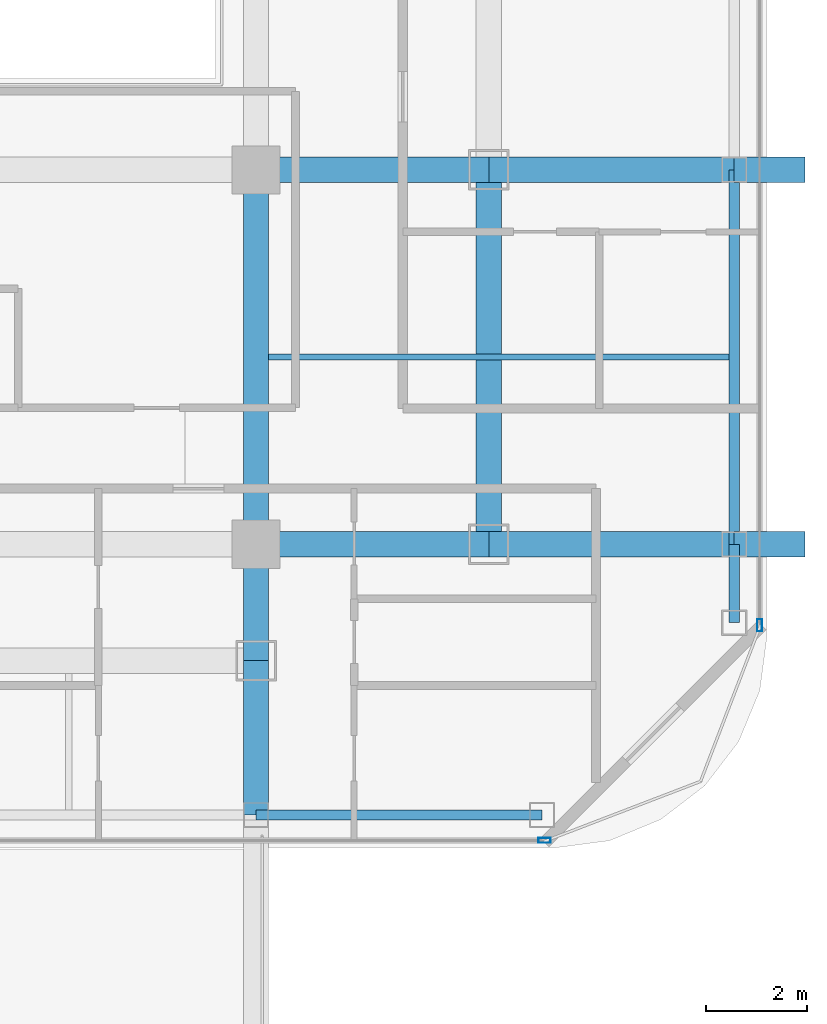
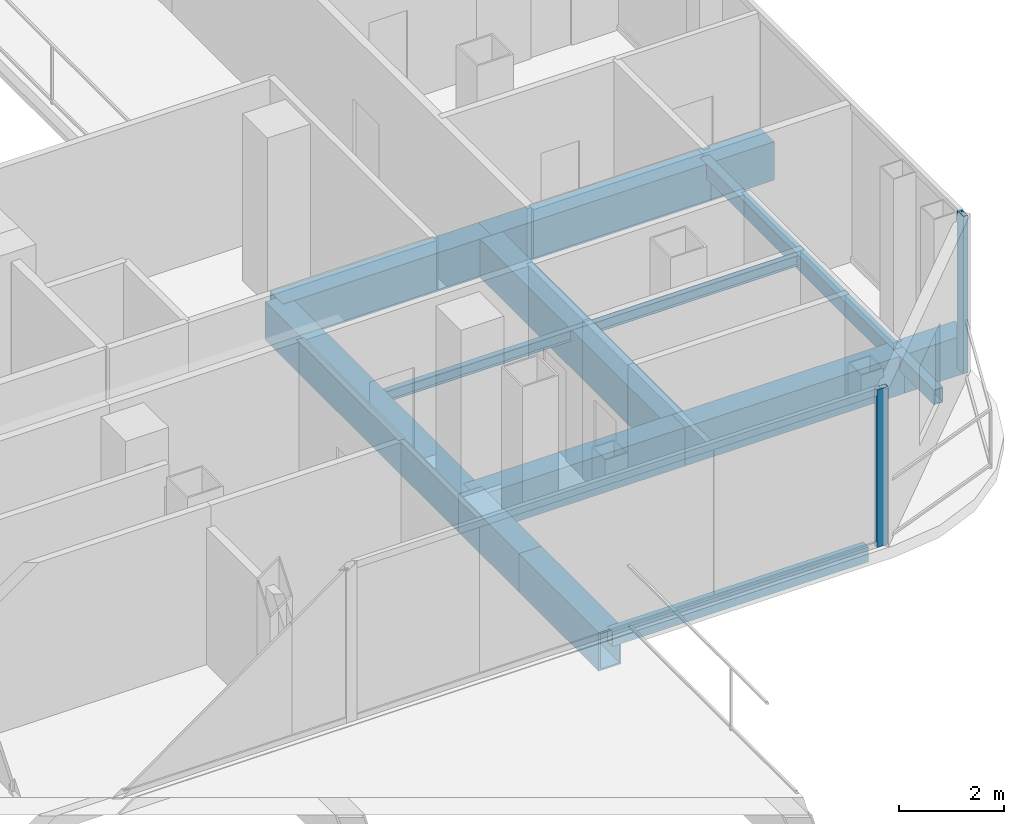
# One storey, part 8 of 25: 14 beams, 2 members, 2 elements without a shape of their own.
"""IFC4 building model written with IfcOpenShell, lengths in metres."""

from ifc_helpers import new_model, si_unit, direction, frame, origin, origin_2d, place, context, subcontext, project, spatial, hollow_rectangle, i_section, extrude, material, layer, layer_set, material_profile, profile_set, type_object, element, aggregate, save


model = new_model("IFC4")

# Units and contexts
model_context = context("Model", 3, precision=1e-05, world=origin(), true_north=direction((0.0, 1.0)))
body_context = subcontext(model_context, "Body", "Model", "MODEL_VIEW")
ifc_project = project(units=[si_unit("LENGTHUNIT", "METRE"), si_unit("AREAUNIT", "SQUARE_METRE"), si_unit("VOLUMEUNIT", "CUBIC_METRE"), si_unit("PLANEANGLEUNIT", "RADIAN"), si_unit("MASSUNIT", "GRAM", prefix="KILO")], contexts=[model_context])

# Site, building, storey
site_placement = place(None, origin())
site = spatial("IfcSite", under=ifc_project, at=site_placement, CompositionType="ELEMENT")
building_placement = place(site_placement, origin())
building = spatial("IfcBuilding", under=site, at=building_placement, Name="Khorvyn Point Tower", CompositionType="ELEMENT")
storey_placement = place(building_placement, frame((0.0, 0.0, 254.699951171875)))
storey = spatial("IfcBuildingStorey", under=building, at=storey_placement, Name="L62", CompositionType="ELEMENT", Elevation=254.699951171875)

# Curtain wall, member
ifc_material_1 = material(Name="Anodised aluminium 6063-T6 and laminated Low-E glass", Category="aluminium")
ifc_layer = layer(ifc_material_1, 0.18994140625)
ifc_layer_set = layer_set([ifc_layer], Name="Stick-Built High-Wind Curtain Wall CW-SYS-04")
curtain_wall_type = type_object("IfcCurtainWallType", Name="Stick-Built High-Wind Curtain Wall CW-SYS-04", PredefinedType="NOTDEFINED", material=ifc_layer_set)
curtain_wall_1_placement = place(storey_placement, origin())
curtain_wall_1 = element("IfcCurtainWall", 1, at=curtain_wall_1_placement, inside=storey, type_object=curtain_wall_type, Name="Curtain Wall", PredefinedType="NOTDEFINED")
ifc_material_2 = material(Name="Anodised aluminium 6063-T6", Category="aluminium")
ifc_material_profile_1 = material_profile(ifc_material_2, hollow_rectangle(XDim=0.10009765625, YDim=0.239990234375, WallThickness=0.0048828125, at=origin_2d()))
ifc_profile_set_1 = profile_set([ifc_material_profile_1], Name="Anodised aluminium 6063-T6 ALU-MUL-100x240")
member_type = type_object("IfcMemberType", Name="Anodised Aluminium 6063-T6 Mullion ALU-MUL-100x240", PredefinedType="MULLION", material=ifc_profile_set_1)
member_1_placement = place(storey_placement, frame((20.5, -20.64990234375, 0.0), z_axis=(0.0, 0.0, 1.0), x_axis=(0.0, -1.0, 0.0)))
member_1 = element("IfcMember", 2, at=member_1_placement, type_object=member_type, Name="Transom", PredefinedType="MULLION", context=body_context, shape_type="SweptSolid", body=[
    extrude(hollow_rectangle(XDim=0.10009765625, YDim=0.239990234375, WallThickness=0.0048828125, at=origin_2d()), origin(), (0.0, 0.0, 1.0), 3.679931640625),
])
aggregate(curtain_wall_1, [member_1])

curtain_wall_2_placement = place(storey_placement, origin())
curtain_wall_2 = element("IfcCurtainWall", 3, at=curtain_wall_2_placement, inside=storey, type_object=curtain_wall_type, Name="Curtain Wall", PredefinedType="NOTDEFINED")
member_2_placement = place(storey_placement, frame((24.75, -16.39990234375, 0.0), z_axis=(0.0, 0.0, 1.0), x_axis=(1.0, 0.0, 0.0)))
member_2 = element("IfcMember", 4, at=member_2_placement, type_object=member_type, Name="Transom", PredefinedType="MULLION", context=body_context, shape_type="SweptSolid", body=[
    extrude(hollow_rectangle(XDim=0.10009765625, YDim=0.239990234375, WallThickness=0.0048828125, at=origin_2d()), origin(), (0.0, 0.0, 1.0), 3.679931640625),
])
aggregate(curtain_wall_2, [member_2])

# Beams
ifc_material_3 = material(Name="Steel S355", Category="steel")
ifc_material_profile_2 = material_profile(ifc_material_3, i_section(OverallWidth=0.125, OverallDepth=0.25, WebThickness=0.006103515625, FlangeThickness=0.009033203125, at=origin_2d()))
ifc_profile_set_2 = profile_set([ifc_material_profile_2], Name="Steel S355 H250x125x6x9")
beam_type_1 = type_object("IfcBeamType", Name="Steel S355 Joist H250x125x6x9", PredefinedType="JOIST", material=ifc_profile_set_2)
beam_1_placement = place(storey_placement, frame((15.050048828125, -11.10009765625, -0.405029296875), z_axis=(1.0, 0.0, 0.0), x_axis=(0.0, 1.0, 0.0)))
element("IfcBeam", 5, at=beam_1_placement, inside=storey, type_object=beam_type_1, Name="Beam", PredefinedType="JOIST", context=body_context, shape_type="SweptSolid", body=[
    extrude(i_section(OverallWidth=0.125, OverallDepth=0.25, WebThickness=0.006103515625, FlangeThickness=0.009033203125, at=origin_2d()), origin(), (0.0, 0.0, 1.0), 9.099853515625),
])
ifc_material_profile_3 = material_profile(ifc_material_3, hollow_rectangle(XDim=0.199951171875, YDim=0.35009765625, WallThickness=0.013916015625, at=origin_2d()))
ifc_profile_set_3 = profile_set([ifc_material_profile_3], Name="Steel S355 RHS350x200x14")
beam_type_2 = type_object("IfcBeamType", Name="Steel S355 Spandrel RHS350x200x14", PredefinedType="SPANDREL", material=ifc_profile_set_3)
beam_2_placement = place(storey_placement, frame((14.800048828125, -20.14990234375, -0.454833984375), z_axis=(1.0, 0.0, 0.0), x_axis=(0.0, 1.0, 0.0)))
element("IfcBeam", 6, at=beam_2_placement, inside=storey, type_object=beam_type_2, Name="Beam", PredefinedType="SPANDREL", context=body_context, shape_type="SweptSolid", body=[
    extrude(hollow_rectangle(XDim=0.199951171875, YDim=0.35009765625, WallThickness=0.013916015625, at=origin_2d()), origin(), (0.0, 0.0, 1.0), 5.64990234375),
])
beam_3_placement = place(storey_placement, frame((24.25, -16.35009765625, -0.454833984375), z_axis=(0.0, 1.0, 0.0), x_axis=(-1.0, 0.0, 0.0)))
element("IfcBeam", 7, at=beam_3_placement, inside=storey, type_object=beam_type_2, Name="Beam", PredefinedType="SPANDREL", context=body_context, shape_type="SweptSolid", body=[
    extrude(hollow_rectangle(XDim=0.199951171875, YDim=0.35009765625, WallThickness=0.013916015625, at=origin_2d()), origin(), (0.0, 0.0, 1.0), 1.550048828125),
])
beam_4_placement = place(storey_placement, frame((24.25, -14.800048828125, -0.454833984375), z_axis=(0.0, 1.0, 0.0), x_axis=(-1.0, 0.0, 0.0)))
element("IfcBeam", 8, at=beam_4_placement, inside=storey, type_object=beam_type_2, Name="Beam", PredefinedType="SPANDREL", context=body_context, shape_type="SweptSolid", body=[
    extrude(hollow_rectangle(XDim=0.199951171875, YDim=0.35009765625, WallThickness=0.013916015625, at=origin_2d()), origin(), (0.0, 0.0, 1.0), 7.400146484375),
])
ifc_material_4 = material(Name="Steel S450", Category="steel")
ifc_material_profile_4 = material_profile(ifc_material_4, hollow_rectangle(XDim=0.5, YDim=0.89990234375, WallThickness=0.0400390625, at=origin_2d()))
ifc_profile_set_4 = profile_set([ifc_material_profile_4], Name="Steel S450 BOX900x500x40")
beam_type_3 = type_object("IfcBeamType", Name="Steel S450 Beam BOX900x500x40", PredefinedType="BEAM", material=ifc_profile_set_4)
beam_5_placement = place(storey_placement, frame((14.800048828125, -14.800048828125, -0.72998046875), z_axis=(1.0, 0.0, 0.0), x_axis=(0.0, 1.0, 0.0)))
element("IfcBeam", 9, at=beam_5_placement, inside=storey, type_object=beam_type_3, Name="L62 Radial Transfer Girder", PredefinedType="BEAM", context=body_context, shape_type="SweptSolid", body=[
    extrude(hollow_rectangle(XDim=0.5, YDim=0.89990234375, WallThickness=0.0400390625, at=origin_2d()), origin(), (0.0, 0.0, 1.0), 4.599853515625),
])
beam_6_placement = place(storey_placement, frame((19.39990234375, -14.800048828125, -0.72998046875), z_axis=(1.0, 0.0, 0.0), x_axis=(0.0, 1.0, 0.0)))
element("IfcBeam", 10, at=beam_6_placement, inside=storey, type_object=beam_type_3, Name="L62 Radial Transfer Girder", PredefinedType="BEAM", context=body_context, shape_type="SweptSolid", body=[
    extrude(hollow_rectangle(XDim=0.5, YDim=0.89990234375, WallThickness=0.0400390625, at=origin_2d()), origin(), (0.0, 0.0, 1.0), 4.85009765625),
])
beam_7_placement = place(storey_placement, frame((24.25, -14.800048828125, -0.72998046875), z_axis=(1.0, 0.0, 0.0), x_axis=(0.0, 1.0, 0.0)))
element("IfcBeam", 11, at=beam_7_placement, inside=storey, type_object=beam_type_3, Name="L62 Radial Transfer Girder", PredefinedType="BEAM", context=body_context, shape_type="SweptSolid", body=[
    extrude(hollow_rectangle(XDim=0.5, YDim=0.89990234375, WallThickness=0.0400390625, at=origin_2d()), origin(), (0.0, 0.0, 1.0), 1.39990234375),
])
beam_8_placement = place(storey_placement, frame((14.800048828125, -7.39990234375, -0.72998046875), z_axis=(1.0, 0.0, 0.0), x_axis=(0.0, 1.0, 0.0)))
element("IfcBeam", 12, at=beam_8_placement, inside=storey, type_object=beam_type_3, Name="Beam", PredefinedType="BEAM", context=body_context, shape_type="SweptSolid", body=[
    extrude(hollow_rectangle(XDim=0.5, YDim=0.89990234375, WallThickness=0.0400390625, at=origin_2d()), origin(), (0.0, 0.0, 1.0), 4.599853515625),
])
beam_9_placement = place(storey_placement, frame((19.39990234375, -7.39990234375, -0.72998046875), z_axis=(1.0, 0.0, 0.0), x_axis=(0.0, 1.0, 0.0)))
element("IfcBeam", 13, at=beam_9_placement, inside=storey, type_object=beam_type_3, Name="Beam", PredefinedType="BEAM", context=body_context, shape_type="SweptSolid", body=[
    extrude(hollow_rectangle(XDim=0.5, YDim=0.89990234375, WallThickness=0.0400390625, at=origin_2d()), origin(), (0.0, 0.0, 1.0), 4.85009765625),
])
beam_10_placement = place(storey_placement, frame((24.25, -7.39990234375, -0.72998046875), z_axis=(1.0, 0.0, 0.0), x_axis=(0.0, 1.0, 0.0)))
element("IfcBeam", 14, at=beam_10_placement, inside=storey, type_object=beam_type_3, Name="Beam", PredefinedType="BEAM", context=body_context, shape_type="SweptSolid", body=[
    extrude(hollow_rectangle(XDim=0.5, YDim=0.89990234375, WallThickness=0.0400390625, at=origin_2d()), origin(), (0.0, 0.0, 1.0), 1.39990234375),
])
beam_11_placement = place(storey_placement, frame((14.800048828125, -20.14990234375, -0.72998046875), z_axis=(0.0, 1.0, 0.0), x_axis=(-1.0, 0.0, 0.0)))
element("IfcBeam", 15, at=beam_11_placement, inside=storey, type_object=beam_type_3, Name="L62 Radial Transfer Girder", PredefinedType="BEAM", context=body_context, shape_type="SweptSolid", body=[
    extrude(hollow_rectangle(XDim=0.5, YDim=0.89990234375, WallThickness=0.0400390625, at=origin_2d()), origin(), (0.0, 0.0, 1.0), 3.0498046875),
])
beam_12_placement = place(storey_placement, frame((14.800048828125, -17.10009765625, -0.72998046875), z_axis=(0.0, 1.0, 0.0), x_axis=(-1.0, 0.0, 0.0)))
element("IfcBeam", 16, at=beam_12_placement, inside=storey, type_object=beam_type_3, Name="L62 Radial Transfer Girder", PredefinedType="BEAM", context=body_context, shape_type="SweptSolid", body=[
    extrude(hollow_rectangle(XDim=0.5, YDim=0.89990234375, WallThickness=0.0400390625, at=origin_2d()), origin(), (0.0, 0.0, 1.0), 2.300048828125),
])
for number, where, z_axis, x_axis, name in (
    (17, (14.800048828125, -14.800048828125, -0.72998046875), (0.0, 1.0, 0.0), (-1.0, 0.0, 0.0), "L62 Radial Transfer Girder"),
    (18, (19.39990234375, -14.800048828125, -0.72998046875), (0.0, 1.0, 0.0), (-1.0, 0.0, 0.0), "Beam"),
):
    element("IfcBeam", number, at=place(storey_placement, frame(where, z_axis=z_axis, x_axis=x_axis)), inside=storey, type_object=beam_type_3, Name=name, PredefinedType="BEAM", context=body_context, shape_type="SweptSolid", body=[
        extrude(hollow_rectangle(XDim=0.5, YDim=0.89990234375, WallThickness=0.0400390625, at=origin_2d()), origin(), (0.0, 0.0, 1.0), 7.400146484375),
    ])

save(model, "model.ifc")
